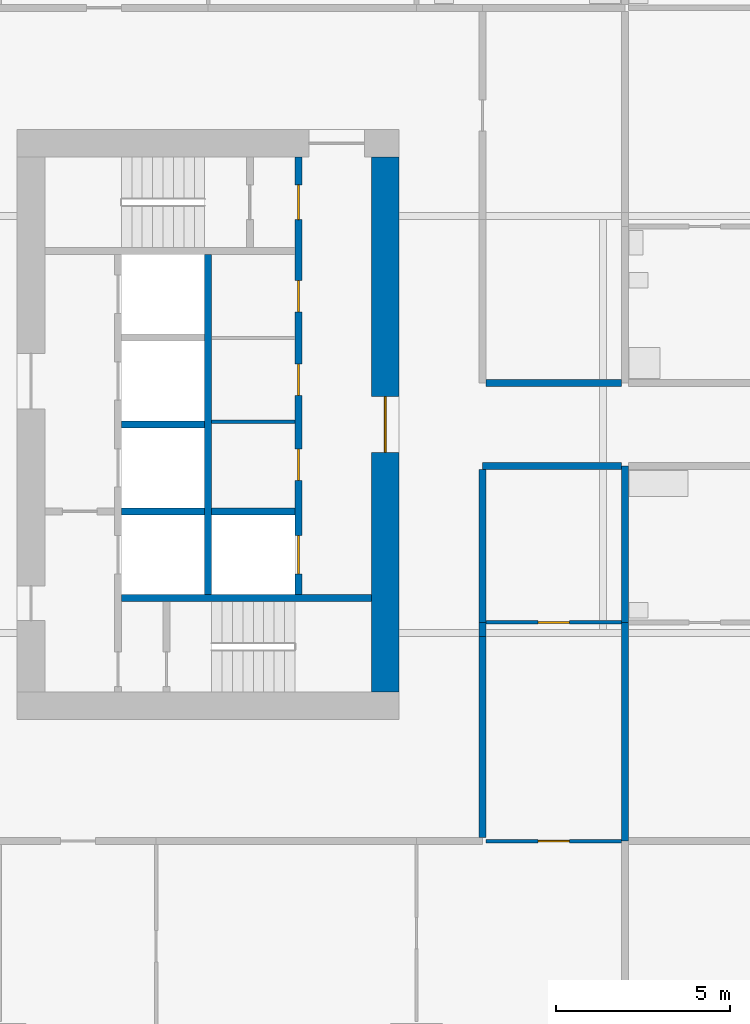
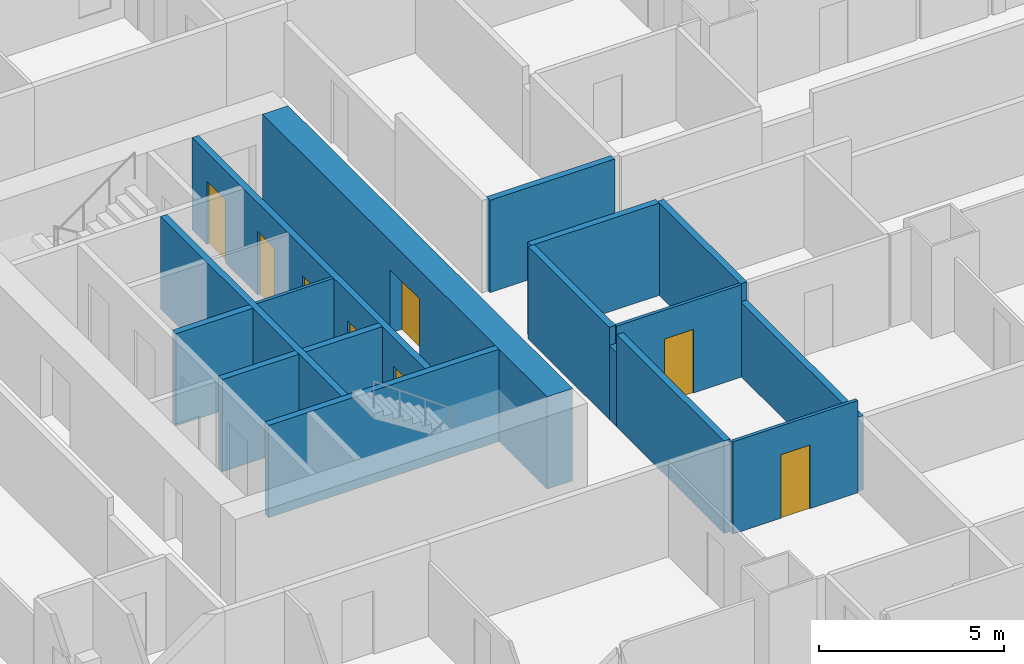
# One storey, part 4 of 14: 17 walls, 8 doors, 8 openings.
"""IFC4 building model written with IfcOpenShell, lengths in metres."""

import ifcopenshell
import ifcopenshell.guid

model = None  # the IFC model being written
_history = None  # IfcOwnerHistory: only IFC2X3 demands one
_inside = {}  # id of a spatial element -> (the spatial element, [elements in it])
_under = {}  # id of a project, library or spatial element -> (it, [spatial elements below it])
_declared = {}  # id of a project -> (the project, [libraries it declares])
_typed = {}  # id of a type object -> (the type object, [elements of that type])
_made_of = {}  # id of a material, layer set ... -> (it, [elements and type objects made of it])


def new_model(schema):
    """Start an empty IFC model of exactly this schema.

    Asked for "IFC4X3", IfcOpenShell would pick the latest addendum, in which some entities
    have other attributes; the version numbers below select the first issue.
    IFC2X3 requires an IfcOwnerHistory on every rooted entity: one is made here for all.
    """
    global model, _history
    if schema == "IFC4X3":
        model = ifcopenshell.file(schema_version=(4, 3, 0, 0))
    else:
        model = ifcopenshell.file(schema=schema)
    _inside.clear()
    _under.clear()
    _declared.clear()
    _typed.clear()
    _made_of.clear()
    _history = None
    if model.schema == "IFC2X3":
        org = make("IfcOrganization", Name="unknown")
        user = make(
            "IfcPersonAndOrganization",
            ThePerson=make("IfcPerson", FamilyName="unknown"),
            TheOrganization=org,
        )
        app = make(
            "IfcApplication",
            ApplicationDeveloper=org,
            Version="unknown",
            ApplicationFullName="unknown",
            ApplicationIdentifier="unknown",
        )
        _history = make(
            "IfcOwnerHistory",
            OwningUser=user,
            OwningApplication=app,
            ChangeAction="ADDED",
            CreationDate=0,
        )
    return model


def make(cls, **values):
    """One entity of the class cls with the attributes given. An attribute that is None is left unset."""
    return model.create_entity(
        cls, **{name: value for name, value in values.items() if value is not None}
    )


def rooted(cls, **values):
    """An entity with a GlobalId (a new one), such as an element, a storey or a relation."""
    return make(cls, GlobalId=ifcopenshell.guid.new(), OwnerHistory=_history, **values)


def si_unit(unit_type, name, prefix=None):
    """IfcSIUnit, for example si_unit("LENGTHUNIT", "METRE", prefix="MILLI")."""
    return make("IfcSIUnit", UnitType=unit_type, Prefix=prefix, Name=name)


def assignment(units):
    """IfcUnitAssignment: the units of a project."""
    return None if units is None else make("IfcUnitAssignment", Units=units)


def point(xyz):
    """IfcCartesianPoint."""
    return None if xyz is None else make("IfcCartesianPoint", Coordinates=xyz)


def direction(xyz):
    """IfcDirection."""
    return None if xyz is None else make("IfcDirection", DirectionRatios=xyz)


def frame(location, z_axis=None, x_axis=None):
    """IfcAxis2Placement3D, a coordinate frame: its origin and axes. An axis left out is left unset."""
    return make(
        "IfcAxis2Placement3D",
        Location=point(location),
        Axis=direction(z_axis),
        RefDirection=direction(x_axis),
    )


def frame_2d(location, x_axis=None):
    """IfcAxis2Placement2D, a coordinate frame in the plane: its origin and x axis."""
    return make(
        "IfcAxis2Placement2D", Location=point(location), RefDirection=direction(x_axis)
    )


def origin():
    """The frame at (0, 0, 0) with its axes left unset."""
    return frame((0.0, 0.0, 0.0))


def place(relative_to, where):
    """IfcLocalPlacement: puts the frame where relative to a parent placement (None: the world)."""
    return make(
        "IfcLocalPlacement", PlacementRelTo=relative_to, RelativePlacement=where
    )


def context(
    kind, dimensions, precision=None, world=None, true_north=None, identifier=None
):
    """IfcGeometricRepresentationContext, for example the 3D "Model" context."""
    return make(
        "IfcGeometricRepresentationContext",
        ContextIdentifier=identifier,
        ContextType=kind,
        CoordinateSpaceDimension=dimensions,
        Precision=precision,
        WorldCoordinateSystem=world,
        TrueNorth=true_north,
    )


def subcontext(parent, identifier, kind, view, scale=None):
    """IfcGeometricRepresentationSubContext, for example "Body" below "Model"."""
    return make(
        "IfcGeometricRepresentationSubContext",
        ContextIdentifier=identifier,
        ContextType=kind,
        ParentContext=parent,
        TargetScale=scale,
        TargetView=view,
    )


def project(units=None, contexts=None):
    """IfcProject with its units and contexts."""
    return rooted(
        "IfcProject",
        Name="project",
        RepresentationContexts=contexts,
        UnitsInContext=assignment(units),
    )


def spatial(cls, under=None, at=None, **own):
    """A site, building, storey or space (cls), placed at a placement, below another one or the project."""
    s = rooted(cls, ObjectPlacement=at, **own)
    if under is not None:
        _under.setdefault(under.id(), (under, []))[1].append(s)
    return s


def profile(cls, at=None, kind="AREA", **sizes):
    """A parametric profile (cls). Its sizes go by their IFC names, for example OverallWidth=200.0."""
    return make(cls, ProfileType=kind, Position=at, **sizes)


def rectangle(**sizes):
    """IfcRectangleProfileDef."""
    return profile("IfcRectangleProfileDef", **sizes)


def extrude(swept, where, along, depth):
    """IfcExtrudedAreaSolid: the profile swept, set in the frame where, extruded along a direction by depth."""
    return make(
        "IfcExtrudedAreaSolid",
        SweptArea=swept,
        Position=where,
        ExtrudedDirection=direction(along),
        Depth=depth,
    )


def shape(context_of_items, identifier, shape_type, items):
    """IfcShapeRepresentation: the items that make up one representation, for example the "Body"."""
    return make(
        "IfcShapeRepresentation",
        ContextOfItems=context_of_items,
        RepresentationIdentifier=identifier,
        RepresentationType=shape_type,
        Items=items,
    )


def material(Name=None, Category=None):
    """IfcMaterial."""
    return make("IfcMaterial", Name=Name, Category=Category)


def layer(
    of_material, thickness, ventilated=None, Name=None, Category=None, Priority=None
):
    """IfcMaterialLayer: one layer of a wall or slab, of a material (None: an air gap)."""
    return make(
        "IfcMaterialLayer",
        Material=of_material,
        LayerThickness=thickness,
        IsVentilated=ventilated,
        Name=Name,
        Category=Category,
        Priority=Priority,
    )


def layer_set(layers, Name=None):
    """IfcMaterialLayerSet."""
    return make("IfcMaterialLayerSet", MaterialLayers=layers, LayerSetName=Name)


def made_of(thing, what):
    """Note that an element or type object is made of a material, layer set ...; save() writes the relation."""
    if what is not None:
        _made_of.setdefault(what.id(), (what, []))[1].append(thing)
    return thing


def type_object(cls, material=None, **own):
    """A type object (cls), such as IfcWallType, which elements share."""
    return made_of(rooted(cls, **own), material)


def element(
    cls,
    number,
    at=None,
    inside=None,
    cuts=None,
    type_object=None,
    material=None,
    context=None,
    identifier="Body",
    shape_type=None,
    held_by="IfcProductDefinitionShape",
    body=None,
    shapes=None,
    **own,
):
    """One element of the class cls, such as IfcWall. Its Tag is "e" and its number.

    at: its placement. inside: the storey or other place that contains it. cuts: it is an
    opening in that element (IfcRelVoidsElement). A single representation is given by context,
    identifier, shape_type and body (its items); several are given by shapes. held_by: the class
    of the entity that holds the representations. save() writes the other relations.
    """
    e = rooted(cls, Tag="e%d" % number, ObjectPlacement=at, **own)
    if body is not None:
        shapes = [shape(context, identifier, shape_type, body)]
    if shapes is not None:
        e.Representation = make(held_by, Representations=shapes)
    if inside is not None:
        _inside.setdefault(inside.id(), (inside, []))[1].append(e)
    if cuts is not None:
        rooted(
            "IfcRelVoidsElement", RelatingBuildingElement=cuts, RelatedOpeningElement=e
        )
    if type_object is not None:
        _typed.setdefault(type_object.id(), (type_object, []))[1].append(e)
    return made_of(e, material)


def fill(opening, filler):
    """IfcRelFillsElement: the door or window that sits in an opening."""
    return rooted(
        "IfcRelFillsElement",
        RelatingOpeningElement=opening,
        RelatedBuildingElement=filler,
    )


def aggregate(whole, parts):
    """IfcRelAggregates: a whole, such as a stair, and the parts it consists of."""
    return rooted("IfcRelAggregates", RelatingObject=whole, RelatedObjects=parts)


def save(model, path):
    """Write the relations noted so far, then the file.

    IfcRelAggregates (storeys below a building ...), IfcRelContainedInSpatialStructure (elements
    in a storey), IfcRelDefinesByType, IfcRelAssociatesMaterial and IfcRelDeclares: one each for
    every whole, place, type object, material and project.
    """
    for whole, parts in _under.values():
        aggregate(whole, parts)
    for where, things in _inside.values():
        rooted(
            "IfcRelContainedInSpatialStructure",
            RelatedElements=things,
            RelatingStructure=where,
        )
    for kind, things in _typed.values():
        rooted("IfcRelDefinesByType", RelatedObjects=things, RelatingType=kind)
    for what, things in _made_of.values():
        rooted("IfcRelAssociatesMaterial", RelatedObjects=things, RelatingMaterial=what)
    for by, libraries in _declared.values():
        rooted("IfcRelDeclares", RelatingContext=by, RelatedDefinitions=libraries)
    model.write(path)


model = new_model("IFC4")

# Units and contexts
model_context = context("Model", 3, precision=1e-05, world=origin(), true_north=direction((0.0, 1.0)))
body_context = subcontext(model_context, "Body", "Model", "MODEL_VIEW")
ifc_project = project(units=[si_unit("LENGTHUNIT", "METRE"), si_unit("AREAUNIT", "SQUARE_METRE"), si_unit("VOLUMEUNIT", "CUBIC_METRE"), si_unit("PLANEANGLEUNIT", "RADIAN"), si_unit("MASSUNIT", "GRAM", prefix="KILO")], contexts=[model_context])

# Site, building, storey
site_placement = place(None, origin())
site = spatial("IfcSite", under=ifc_project, at=site_placement, CompositionType="ELEMENT")
building_placement = place(site_placement, origin())
building = spatial("IfcBuilding", under=site, at=building_placement, Name="Kitamizu Gate Tower and Museum", CompositionType="ELEMENT")
storey_placement = place(building_placement, frame((0.0, 0.0, 43.800048828125)))
storey = spatial("IfcBuildingStorey", under=building, at=storey_placement, Name="L09", CompositionType="ELEMENT", Elevation=43.800048828125)

# Wall, opening, door
ifc_material_1 = material(Name="Concrete Fc60", Category="concrete")
ifc_layer_1 = layer(ifc_material_1, 0.800048828125)
ifc_layer_set_1 = layer_set([ifc_layer_1], Name="Concrete Fc60")
wall_type_1 = type_object("IfcWallType", Name="Core wall 800", PredefinedType="SHEAR", material=ifc_layer_set_1)
wall_1_placement = place(storey_placement, frame((23.10009765625, 22.300048828125, 0.0), z_axis=(0.0, 0.0, 1.0), x_axis=(0.0, 1.0, 0.0)))
wall_1 = element("IfcWall", 1, at=wall_1_placement, inside=storey, type_object=wall_type_1, Name="Core wall WARC", PredefinedType="SHEAR", context=body_context, shape_type="SweptSolid", body=[
    extrude(rectangle(XDim=15.39990234375, YDim=0.800048828125, at=frame_2d((7.699951171875, 0.0))), origin(), (0.0, 0.0, 1.0), 3.050048828125),
])
opening_1_placement = place(wall_1_placement, frame((6.89990234375, 0.0, 0.0)))
opening_1 = element("IfcOpeningElement", 2, at=opening_1_placement, cuts=wall_1, Name="Opening L09-087", PredefinedType="OPENING", context=body_context, shape_type="SweptSolid", body=[
    extrude(rectangle(XDim=1.60009765625, YDim=2.10009765625, at=frame_2d((0.800048828125, 1.050048828125))), frame((0.0, 0.41015625, 0.0), z_axis=(0.0, -1.0, 0.0), x_axis=(1.0, 0.0, 0.0)), (0.0, 0.0, 1.0), 0.820068359375),
])
ifc_material_2 = material(Name="Timber door set", Category="wood")
door_type_1 = type_object("IfcDoorType", Name="Entrance door 1600", OperationType="DOUBLE_DOOR_SINGLE_SWING", PredefinedType="DOOR", material=ifc_material_2)
door_1_placement = place(opening_1_placement, origin())
door_1 = element("IfcDoor", 3, at=door_1_placement, inside=storey, type_object=door_type_1, Name="Lobby door L09-087", OperationType="DOUBLE_DOOR_SINGLE_SWING", OverallHeight=2.10009765625, OverallWidth=1.60009765625, PredefinedType="DOOR", context=body_context, shape_type="SweptSolid", body=[
    extrude(rectangle(XDim=1.60009765625, YDim=2.10009765625, at=frame_2d((0.800048828125, 1.050048828125))), frame((0.0, 0.02490234375, 0.0), z_axis=(0.0, -1.0, 0.0), x_axis=(1.0, 0.0, 0.0)), (0.0, 0.0, 1.0), 0.050048828125),
])
fill(opening_1, door_1)

# Wall
ifc_material_3 = material(Name="Gypsum board on galvanised stud")
ifc_layer_2 = layer(ifc_material_3, 0.10009765625)
ifc_layer_set_2 = layer_set([ifc_layer_2], Name="Gypsum board on galvanised stud")
wall_type_2 = type_object("IfcWallType", Name="Partition 100", PredefinedType="PARTITIONING", material=ifc_layer_set_2)
wall_2_placement = place(storey_placement, frame((18.10009765625, 30.08203125, 0.0), z_axis=(0.0, 0.0, 1.0), x_axis=(1.0, 0.0, 0.0)))
element("IfcWall", 4, at=wall_2_placement, inside=storey, type_object=wall_type_2, Name="Partition WPF1", PredefinedType="PARTITIONING", context=body_context, shape_type="SweptSolid", body=[
    extrude(rectangle(XDim=2.39990234375, YDim=0.10009765625, at=frame_2d((1.199951171875, 0.0))), origin(), (0.0, 0.0, 1.0), 3.050048828125),
])

# Wall, opening, door
ifc_material_4 = material(Name="Gypsum board on galvanised stud")
ifc_layer_3 = layer(ifc_material_4, 0.10009765625)
ifc_layer_set_3 = layer_set([ifc_layer_3], Name="Gypsum board on galvanised stud")
wall_type_3 = type_object("IfcWallType", Name="Partition 100 NOT RATED", PredefinedType="PARTITIONING", material=ifc_layer_set_3)
wall_3_placement = place(storey_placement, frame((29.89990234375, 18.0, 0.0), z_axis=(0.0, 0.0, 1.0), x_axis=(-1.0, 0.0, 0.0)))
wall_3 = element("IfcWall", 5, at=wall_3_placement, inside=storey, type_object=wall_type_3, Name="Partition L09-036", PredefinedType="PARTITIONING", context=body_context, shape_type="SweptSolid", body=[
    extrude(rectangle(XDim=3.89990234375, YDim=0.10009765625, at=frame_2d((1.949951171875, 0.0))), origin(), (0.0, 0.0, 1.0), 3.050048828125),
])
opening_2_placement = place(wall_3_placement, frame((1.5, 0.0, 0.0)))
opening_2 = element("IfcOpeningElement", 6, at=opening_2_placement, cuts=wall_3, Name="Opening L09-015", PredefinedType="OPENING", context=body_context, shape_type="SweptSolid", body=[
    extrude(rectangle(XDim=0.89990234375, YDim=2.10009765625, at=frame_2d((0.449951171875, 1.050048828125))), frame((0.0, 0.06005859375, 0.0), z_axis=(0.0, -1.0, 0.0), x_axis=(1.0, 0.0, 0.0)), (0.0, 0.0, 1.0), 0.1201171875),
])
ifc_material_5 = material(Name="Timber door set", Category="wood")
door_type_2 = type_object("IfcDoorType", Name="Room door 900", OperationType="NOTDEFINED", PredefinedType="DOOR", material=ifc_material_5)
door_2_placement = place(opening_2_placement, frame((0.89990234375, 0.0, 0.0), x_axis=(-1.0, 0.0, 0.0)))
door_2 = element("IfcDoor", 7, at=door_2_placement, inside=storey, type_object=door_type_2, Name="Door L09-015", OperationType="SINGLE_SWING_LEFT", OverallHeight=2.10009765625, OverallWidth=0.89990234375, PredefinedType="DOOR", context=body_context, shape_type="SweptSolid", body=[
    extrude(rectangle(XDim=0.89990234375, YDim=2.10009765625, at=frame_2d((0.449951171875, 1.050048828125))), frame((0.0, 0.02490234375, 0.0), z_axis=(0.0, -1.0, 0.0), x_axis=(1.0, 0.0, 0.0)), (0.0, 0.0, 1.0), 0.050048828125),
])
fill(opening_2, door_2)

wall_4_placement = place(storey_placement, frame((29.89990234375, 24.300048828125, 0.0), z_axis=(0.0, 0.0, 1.0), x_axis=(-1.0, 0.0, 0.0)))
wall_4 = element("IfcWall", 8, at=wall_4_placement, inside=storey, type_object=wall_type_3, Name="Partition L09-039", PredefinedType="PARTITIONING", context=body_context, shape_type="SweptSolid", body=[
    extrude(rectangle(XDim=3.89990234375, YDim=0.10009765625, at=frame_2d((1.949951171875, 0.0))), origin(), (0.0, 0.0, 1.0), 3.050048828125),
])
opening_3_placement = place(wall_4_placement, frame((1.5, 0.0, 0.0)))
opening_3 = element("IfcOpeningElement", 9, at=opening_3_placement, cuts=wall_4, Name="Opening L09-016", PredefinedType="OPENING", context=body_context, shape_type="SweptSolid", body=[
    extrude(rectangle(XDim=0.89990234375, YDim=2.10009765625, at=frame_2d((0.449951171875, 1.050048828125))), frame((0.0, 0.06005859375, 0.0), z_axis=(0.0, -1.0, 0.0), x_axis=(1.0, 0.0, 0.0)), (0.0, 0.0, 1.0), 0.1201171875),
])
door_3_placement = place(opening_3_placement, frame((0.89990234375, 0.0, 0.0), x_axis=(-1.0, 0.0, 0.0)))
door_3 = element("IfcDoor", 10, at=door_3_placement, inside=storey, type_object=door_type_2, Name="Door L09-016", OperationType="SINGLE_SWING_RIGHT", OverallHeight=2.10009765625, OverallWidth=0.89990234375, PredefinedType="DOOR", context=body_context, shape_type="SweptSolid", body=[
    extrude(rectangle(XDim=0.89990234375, YDim=2.10009765625, at=frame_2d((0.449951171875, 1.050048828125))), frame((0.0, 0.02490234375, 0.0), z_axis=(0.0, -1.0, 0.0), x_axis=(1.0, 0.0, 0.0)), (0.0, 0.0, 1.0), 0.050048828125),
])
fill(opening_3, door_3)

# Walls
ifc_material_6 = material(Name="Gypsum board on galvanised stud")
ifc_layer_4 = layer(ifc_material_6, 0.199951171875)
ifc_layer_set_4 = layer_set([ifc_layer_4], Name="Gypsum board on galvanised stud")
wall_type_4 = type_object("IfcWallType", Name="Partition 200", PredefinedType="PARTITIONING", material=ifc_layer_set_4)
wall_5_placement = place(storey_placement, frame((30.0, 18.0, 0.0), z_axis=(0.0, 0.0, 1.0), x_axis=(0.0, 1.0, 0.0)))
element("IfcWall", 11, at=wall_5_placement, inside=storey, type_object=wall_type_4, Name="Partition L09-040", PredefinedType="PARTITIONING", context=body_context, shape_type="SweptSolid", body=[
    extrude(rectangle(XDim=6.300048828125, YDim=0.199951171875, at=frame_2d((3.14990234375, 0.0))), origin(), (0.0, 0.0, 1.0), 2.449951171875),
])
wall_6_placement = place(storey_placement, frame((25.89990234375, 24.300048828125, 0.0), z_axis=(0.0, 0.0, 1.0), x_axis=(0.0, -1.0, 0.0)))
element("IfcWall", 12, at=wall_6_placement, inside=storey, type_object=wall_type_4, Name="Partition L09-041", PredefinedType="PARTITIONING", context=body_context, shape_type="SweptSolid", body=[
    extrude(rectangle(XDim=0.400146484375, YDim=0.199951171875, at=frame_2d((0.2001953125, 0.0))), origin(), (0.0, 0.0, 1.0), 2.449951171875),
])
wall_7_placement = place(storey_placement, frame((25.89990234375, 23.89990234375, 0.0), z_axis=(0.0, 0.0, 1.0), x_axis=(0.0, -1.0, 0.0)))
element("IfcWall", 13, at=wall_7_placement, inside=storey, type_object=wall_type_4, Name="Partition L09-042", PredefinedType="PARTITIONING", context=body_context, shape_type="SweptSolid", body=[
    extrude(rectangle(XDim=5.7998046875, YDim=0.199951171875, at=frame_2d((2.89990234375, 0.0))), origin(), (0.0, 0.0, 1.0), 3.050048828125),
])
wall_8_placement = place(storey_placement, frame((30.0, 24.300048828125, 0.0), z_axis=(0.0, 0.0, 1.0), x_axis=(0.0, 1.0, 0.0)))
element("IfcWall", 14, at=wall_8_placement, inside=storey, type_object=wall_type_4, Name="Partition L09-043", PredefinedType="PARTITIONING", context=body_context, shape_type="SweptSolid", body=[
    extrude(rectangle(XDim=4.5, YDim=0.199951171875, at=frame_2d((2.25, 0.0))), origin(), (0.0, 0.0, 1.0), 3.050048828125),
])
wall_9_placement = place(storey_placement, frame((29.89990234375, 28.800048828125, 0.0), z_axis=(0.0, 0.0, 1.0), x_axis=(-1.0, 0.0, 0.0)))
element("IfcWall", 15, at=wall_9_placement, inside=storey, type_object=wall_type_4, Name="Partition L09-044", PredefinedType="PARTITIONING", context=body_context, shape_type="SweptSolid", body=[
    extrude(rectangle(XDim=4.0, YDim=0.199951171875, at=frame_2d((2.0, 0.0))), origin(), (0.0, 0.0, 1.0), 3.050048828125),
])
wall_10_placement = place(storey_placement, frame((25.89990234375, 28.699951171875, 0.0), z_axis=(0.0, 0.0, 1.0), x_axis=(0.0, -1.0, 0.0)))
element("IfcWall", 16, at=wall_10_placement, inside=storey, type_object=wall_type_4, Name="Partition L09-045", PredefinedType="PARTITIONING", context=body_context, shape_type="SweptSolid", body=[
    extrude(rectangle(XDim=4.39990234375, YDim=0.199951171875, at=frame_2d((2.199951171875, 0.0))), origin(), (0.0, 0.0, 1.0), 3.050048828125),
])
wall_11_placement = place(storey_placement, frame((26.0, 31.199951171875, 0.0), z_axis=(0.0, 0.0, 1.0), x_axis=(1.0, 0.0, 0.0)))
element("IfcWall", 17, at=wall_11_placement, inside=storey, type_object=wall_type_4, Name="Partition L09-133", PredefinedType="PARTITIONING", context=body_context, shape_type="SweptSolid", body=[
    extrude(rectangle(XDim=3.89990234375, YDim=0.199951171875, at=frame_2d((1.949951171875, 0.0))), origin(), (0.0, 0.0, 1.0), 3.050048828125),
])

# Wall, openings, doors
ifc_material_7 = material(Name="Concrete Fc42", Category="concrete")
ifc_layer_5 = layer(ifc_material_7, 0.199951171875)
ifc_layer_set_5 = layer_set([ifc_layer_5], Name="Concrete Fc42")
wall_type_5 = type_object("IfcWallType", Name="Shaft wall 200", PredefinedType="SOLIDWALL", material=ifc_layer_set_5)
wall_12_placement = place(storey_placement, frame((20.60009765625, 25.10009765625, 0.0), z_axis=(0.0, 0.0, 1.0), x_axis=(0.0, 1.0, 0.0)))
wall_12 = element("IfcWall", 18, at=wall_12_placement, inside=storey, type_object=wall_type_5, Name="Shaft wall WEAST", PredefinedType="SOLIDWALL", context=body_context, shape_type="SweptSolid", body=[
    extrude(rectangle(XDim=12.599853515625, YDim=0.199951171875, at=frame_2d((6.2998046875, 0.0))), origin(), (0.0, 0.0, 1.0), 3.050048828125),
])
opening_4_placement = place(wall_12_placement, frame((0.60009765625, 0.0, 0.0)))
opening_4 = element("IfcOpeningElement", 19, at=opening_4_placement, cuts=wall_12, Name="Opening LD", PredefinedType="OPENING", context=body_context, shape_type="SweptSolid", body=[
    extrude(rectangle(XDim=1.10009765625, YDim=2.10009765625, at=frame_2d((0.550048828125, 1.050048828125))), frame((0.0, 0.10986328125, 0.0), z_axis=(0.0, -1.0, 0.0), x_axis=(1.0, 0.0, 0.0)), (0.0, 0.0, 1.0), 0.219970703125),
])
opening_5_placement = place(wall_12_placement, frame((10.800048828125, 0.0, 0.0)))
opening_5 = element("IfcOpeningElement", 20, at=opening_5_placement, cuts=wall_12, Name="Opening L09-081", PredefinedType="OPENING", context=body_context, shape_type="SweptSolid", body=[
    extrude(rectangle(XDim=1.0, YDim=2.10009765625, at=frame_2d((0.5, 1.050048828125))), frame((0.0, 0.10986328125, 0.0), z_axis=(0.0, -1.0, 0.0), x_axis=(1.0, 0.0, 0.0)), (0.0, 0.0, 1.0), 0.219970703125),
])
opening_6_placement = place(wall_12_placement, frame((3.291015625, 0.0, 0.0)))
opening_6 = element("IfcOpeningElement", 21, at=opening_6_placement, cuts=wall_12, Name="Opening L09-088", PredefinedType="OPENING", context=body_context, shape_type="SweptSolid", body=[
    extrude(rectangle(XDim=0.89990234375, YDim=2.10009765625, at=frame_2d((0.449951171875, 1.050048828125))), frame((0.0, 0.10986328125, 0.0), z_axis=(0.0, -1.0, 0.0), x_axis=(1.0, 0.0, 0.0)), (0.0, 0.0, 1.0), 0.219970703125),
])
opening_7_placement = place(wall_12_placement, frame((5.736572265625, 0.0, 0.0)))
opening_7 = element("IfcOpeningElement", 22, at=opening_7_placement, cuts=wall_12, Name="Opening L09-089", PredefinedType="OPENING", context=body_context, shape_type="SweptSolid", body=[
    extrude(rectangle(XDim=0.89990234375, YDim=2.10009765625, at=frame_2d((0.449951171875, 1.050048828125))), frame((0.0, 0.10986328125, 0.0), z_axis=(0.0, -1.0, 0.0), x_axis=(1.0, 0.0, 0.0)), (0.0, 0.0, 1.0), 0.219970703125),
])
opening_8_placement = place(wall_12_placement, frame((8.1455078125, 0.0, 0.0)))
opening_8 = element("IfcOpeningElement", 23, at=opening_8_placement, cuts=wall_12, Name="Opening L09-090", PredefinedType="OPENING", context=body_context, shape_type="SweptSolid", body=[
    extrude(rectangle(XDim=0.89990234375, YDim=2.10009765625, at=frame_2d((0.449951171875, 1.050048828125))), frame((0.0, 0.10986328125, 0.0), z_axis=(0.0, -1.0, 0.0), x_axis=(1.0, 0.0, 0.0)), (0.0, 0.0, 1.0), 0.219970703125),
])
ifc_material_8 = material(Name="Hollow metal door set")
door_type_3 = type_object("IfcDoorType", Name="Fire door 1000", OperationType="NOTDEFINED", PredefinedType="DOOR", material=ifc_material_8)
door_4_placement = place(opening_5_placement, origin())
door_4 = element("IfcDoor", 24, at=door_4_placement, inside=storey, type_object=door_type_3, Name="Stair lobby door L09-081", OperationType="SINGLE_SWING_RIGHT", OverallHeight=2.10009765625, OverallWidth=1.0, PredefinedType="DOOR", context=body_context, shape_type="SweptSolid", body=[
    extrude(rectangle(XDim=1.0, YDim=2.10009765625, at=frame_2d((0.5, 1.050048828125))), frame((0.0, 0.02490234375, 0.0), z_axis=(0.0, -1.0, 0.0), x_axis=(1.0, 0.0, 0.0)), (0.0, 0.0, 1.0), 0.050048828125),
])
fill(opening_5, door_4)
ifc_material_9 = material(Name="Hollow metal door set")
door_type_4 = type_object("IfcDoorType", Name="Landing door 1100", OperationType="SLIDING_TO_LEFT", PredefinedType="DOOR", material=ifc_material_9)
door_5_placement = place(opening_4_placement, origin())
door_5 = element("IfcDoor", 25, at=door_5_placement, inside=storey, type_object=door_type_4, Name="Landing door WSV1", OperationType="SLIDING_TO_LEFT", OverallHeight=2.10009765625, OverallWidth=1.10009765625, PredefinedType="DOOR", context=body_context, shape_type="SweptSolid", body=[
    extrude(rectangle(XDim=1.10009765625, YDim=2.10009765625, at=frame_2d((0.550048828125, 1.050048828125))), frame((0.0, 0.02490234375, 0.0), z_axis=(0.0, -1.0, 0.0), x_axis=(1.0, 0.0, 0.0)), (0.0, 0.0, 1.0), 0.050048828125),
])
fill(opening_4, door_5)
ifc_material_10 = material(Name="Timber door set", Category="wood")
door_type_5 = type_object("IfcDoorType", Name="Service door 900", OperationType="NOTDEFINED", PredefinedType="DOOR", material=ifc_material_10)
door_6_placement = place(opening_6_placement, origin())
door_6 = element("IfcDoor", 26, at=door_6_placement, inside=storey, type_object=door_type_5, Name="Service door L09-088", OperationType="SINGLE_SWING_RIGHT", OverallHeight=2.10009765625, OverallWidth=0.89990234375, PredefinedType="DOOR", context=body_context, shape_type="SweptSolid", body=[
    extrude(rectangle(XDim=0.89990234375, YDim=2.10009765625, at=frame_2d((0.449951171875, 1.050048828125))), frame((0.0, 0.02490234375, 0.0), z_axis=(0.0, -1.0, 0.0), x_axis=(1.0, 0.0, 0.0)), (0.0, 0.0, 1.0), 0.050048828125),
])
fill(opening_6, door_6)
door_7_placement = place(opening_7_placement, origin())
door_7 = element("IfcDoor", 27, at=door_7_placement, inside=storey, type_object=door_type_5, Name="Service door L09-089", OperationType="SINGLE_SWING_LEFT", OverallHeight=2.10009765625, OverallWidth=0.89990234375, PredefinedType="DOOR", context=body_context, shape_type="SweptSolid", body=[
    extrude(rectangle(XDim=0.89990234375, YDim=2.10009765625, at=frame_2d((0.449951171875, 1.050048828125))), frame((0.0, 0.02490234375, 0.0), z_axis=(0.0, -1.0, 0.0), x_axis=(1.0, 0.0, 0.0)), (0.0, 0.0, 1.0), 0.050048828125),
])
fill(opening_7, door_7)
door_8_placement = place(opening_8_placement, origin())
door_8 = element("IfcDoor", 28, at=door_8_placement, inside=storey, type_object=door_type_5, Name="Service door L09-090", OperationType="SINGLE_SWING_RIGHT", OverallHeight=2.10009765625, OverallWidth=0.89990234375, PredefinedType="DOOR", context=body_context, shape_type="SweptSolid", body=[
    extrude(rectangle(XDim=0.89990234375, YDim=2.10009765625, at=frame_2d((0.449951171875, 1.050048828125))), frame((0.0, 0.02490234375, 0.0), z_axis=(0.0, -1.0, 0.0), x_axis=(1.0, 0.0, 0.0)), (0.0, 0.0, 1.0), 0.050048828125),
])
fill(opening_8, door_8)

# Walls
wall_13_placement = place(storey_placement, frame((18.0, 25.10009765625, 0.0), z_axis=(0.0, 0.0, 1.0), x_axis=(0.0, 1.0, 0.0)))
element("IfcWall", 29, at=wall_13_placement, inside=storey, type_object=wall_type_5, Name="Shaft wall WMID", PredefinedType="SOLIDWALL", context=body_context, shape_type="SweptSolid", body=[
    extrude(rectangle(XDim=9.7998046875, YDim=0.199951171875, at=frame_2d((4.89990234375, 0.0))), origin(), (0.0, 0.0, 1.0), 3.050048828125),
])
wall_14_placement = place(storey_placement, frame((15.5, 25.0, 0.0), z_axis=(0.0, 0.0, 1.0), x_axis=(1.0, 0.0, 0.0)))
element("IfcWall", 30, at=wall_14_placement, inside=storey, type_object=wall_type_5, Name="Shaft wall WSB", PredefinedType="SOLIDWALL", context=body_context, shape_type="SweptSolid", body=[
    extrude(rectangle(XDim=7.199951171875, YDim=0.199951171875, at=frame_2d((3.60009765625, 0.0))), origin(), (0.0, 0.0, 1.0), 3.050048828125),
])
for number, where, z_axis, x_axis, name in (
    (31, (15.5, 27.5, 0.0), (0.0, 0.0, 1.0), (1.0, 0.0, 0.0), "Shaft wall WDVW0"),
    (32, (15.5, 30.0, 0.0), (0.0, 0.0, 1.0), (1.0, 0.0, 0.0), "Shaft wall WDVW1"),
    (33, (18.10009765625, 27.5, 0.0), (0.0, 0.0, 1.0), (1.0, 0.0, 0.0), "Shaft wall WDVE0"),
):
    element("IfcWall", number, at=place(storey_placement, frame(where, z_axis=z_axis, x_axis=x_axis)), inside=storey, type_object=wall_type_5, Name=name, PredefinedType="SOLIDWALL", context=body_context, shape_type="SweptSolid", body=[
        extrude(rectangle(XDim=2.39990234375, YDim=0.199951171875, at=frame_2d((1.199951171875, 0.0))), origin(), (0.0, 0.0, 1.0), 3.050048828125),
    ])

save(model, "model.ifc")
